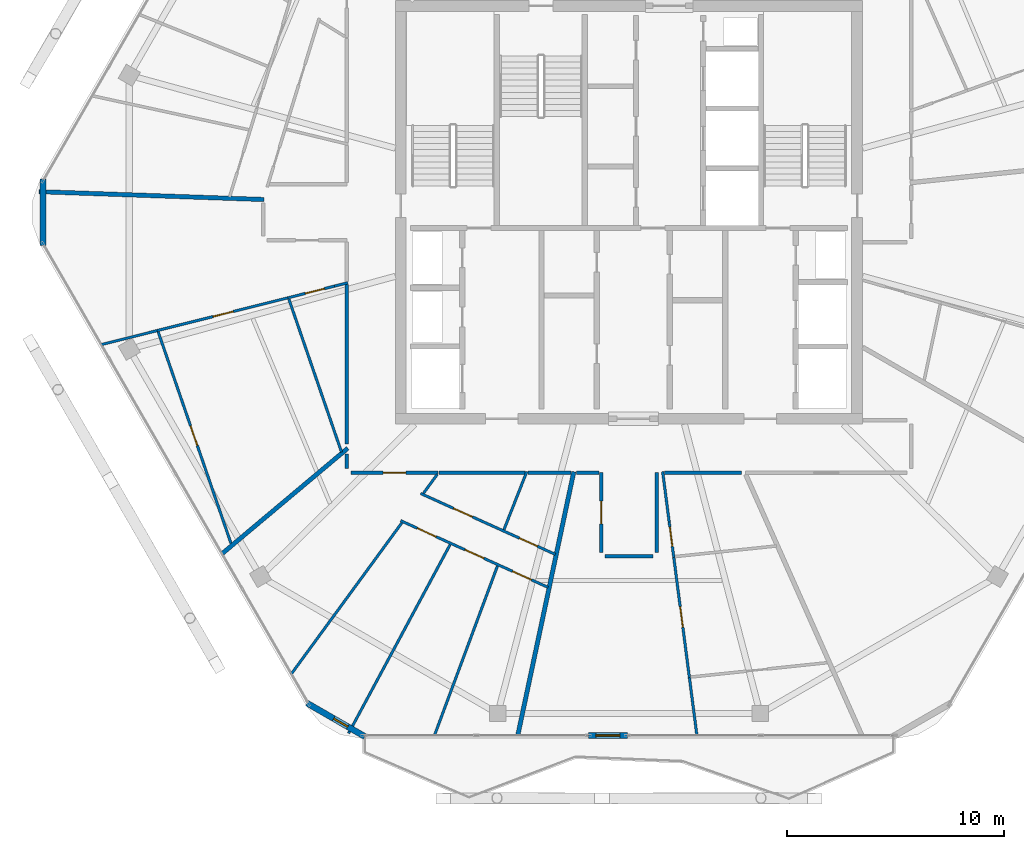
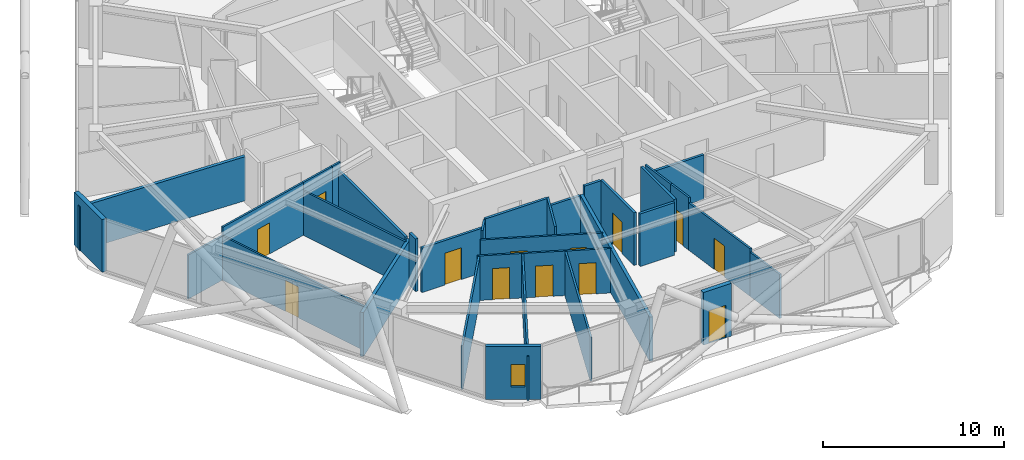
# One storey, part 16 of 23: 33 walls, 13 doors, 1 window, 14 openings.
"""IFC4 building model written with IfcOpenShell, lengths in metres."""

from ifc_helpers import new_model, si_unit, direction, frame, frame_2d, origin, place, context, subcontext, project, spatial, rectangle, extrude, material, layer, layer_set, type_object, element, fill, save


model = new_model("IFC4")

# Units and contexts
model_context = context("Model", 3, precision=1e-05, world=origin(), true_north=direction((0.0, 1.0)))
body_context = subcontext(model_context, "Body", "Model", "MODEL_VIEW")
ifc_project = project(units=[si_unit("LENGTHUNIT", "METRE"), si_unit("AREAUNIT", "SQUARE_METRE"), si_unit("VOLUMEUNIT", "CUBIC_METRE"), si_unit("PLANEANGLEUNIT", "RADIAN"), si_unit("MASSUNIT", "GRAM", prefix="KILO")], contexts=[model_context])

# Site, building, storey
site_placement = place(None, origin())
site = spatial("IfcSite", under=ifc_project, at=site_placement, CompositionType="ELEMENT")
building_placement = place(site_placement, origin())
building = spatial("IfcBuilding", under=site, at=building_placement, Name="Zuhravey Tower", CompositionType="ELEMENT")
storey_placement = place(building_placement, frame((0.0, 0.0, 346.199951171875)))
storey = spatial("IfcBuildingStorey", under=building, at=storey_placement, Name="L88", CompositionType="ELEMENT", Elevation=346.199951171875)

# Wall, opening, door
ifc_material_1 = material(Name="Gypsum fire-rated stud partition")
ifc_layer_1 = layer(ifc_material_1, 0.159912109375)
ifc_layer_set_1 = layer_set([ifc_layer_1], Name="Gypsum fire-rated stud partition")
wall_type_1 = type_object("IfcWallType", Name="Corridor Fire Partition 160", PredefinedType="PARTITIONING", material=ifc_layer_set_1)
wall_1_placement = place(storey_placement, frame((23.20068359375, 20.02001953125, 0.0), z_axis=(0.0, 0.0, 1.0), x_axis=(1.0, 0.0, 0.0)))
wall_1 = element("IfcWall", 1, at=wall_1_placement, inside=storey, type_object=wall_type_1, Name="L88 IW16 Partition 036", PredefinedType="PARTITIONING", context=body_context, shape_type="SweptSolid", body=[
    extrude(rectangle(XDim=4.012939453125, YDim=0.159912109375, at=frame_2d((2.00634765625, 0.0))), origin(), (0.0, 0.0, 1.0), 3.0),
])
opening_1_placement = place(wall_1_placement, frame((1.4814453125, 0.0, 0.0)))
opening_1 = element("IfcOpeningElement", 2, at=opening_1_placement, cuts=wall_1, Name="Opening APD1", PredefinedType="OPENING", context=body_context, shape_type="SweptSolid", body=[
    extrude(rectangle(XDim=1.050048828125, YDim=2.14990234375, at=frame_2d((0.52490234375, 1.074951171875))), frame((0.0, 0.092041015625, 0.0), z_axis=(0.0, -1.0, 0.0), x_axis=(1.0, 0.0, 0.0)), (0.0, 0.0, 1.0), 0.183837890625),
])
ifc_material_2 = material(Name="Solid-core oak fire-rated leaf")
door_type_1 = type_object("IfcDoorType", Name="Apartment Entrance Fire Door 1050x2150", OperationType="NOTDEFINED", PredefinedType="DOOR", material=ifc_material_2)
door_1_placement = place(opening_1_placement, frame((1.050048828125, 0.0, 0.0), z_axis=(0.0, 0.0, 1.0), x_axis=(-1.0, 0.0, 0.0)))
door_1 = element("IfcDoor", 3, at=door_1_placement, inside=storey, type_object=door_type_1, Name="L88 Door 036.1", OperationType="SINGLE_SWING_RIGHT", OverallHeight=2.14990234375, OverallWidth=1.050048828125, PredefinedType="DOOR", context=body_context, shape_type="SweptSolid", body=[
    extrude(rectangle(XDim=1.050048828125, YDim=2.14990234375, at=frame_2d((0.52490234375, 1.074951171875))), frame((0.0, 0.02490234375, 0.0), z_axis=(0.0, -1.0, 0.0), x_axis=(1.0, 0.0, 0.0)), (0.0, 0.0, 1.0), 0.050048828125),
])
fill(opening_1, door_1)

wall_2_placement = place(storey_placement, frame((34.719970703125, 20.02001953125, 0.0), z_axis=(0.0, 0.0, 1.0), x_axis=(0.0, -1.0, 0.0)))
wall_2 = element("IfcWall", 4, at=wall_2_placement, inside=storey, type_object=wall_type_1, Name="L88 IW16 Partition 040", PredefinedType="PARTITIONING", context=body_context, shape_type="SweptSolid", body=[
    extrude(rectangle(XDim=3.669921875, YDim=0.159912109375, at=frame_2d((1.8349609375, 0.0))), origin(), (0.0, 0.0, 1.0), 3.550048828125),
])
opening_2_placement = place(wall_2_placement, frame((1.31005859375, 0.0, 0.0)))
opening_2 = element("IfcOpeningElement", 5, at=opening_2_placement, cuts=wall_2, Name="Opening APD1", PredefinedType="OPENING", context=body_context, shape_type="SweptSolid", body=[
    extrude(rectangle(XDim=1.050048828125, YDim=2.14990234375, at=frame_2d((0.52490234375, 1.074951171875))), frame((0.0, 0.092041015625, 0.0), z_axis=(0.0, -1.0, 0.0), x_axis=(1.0, 0.0, 0.0)), (0.0, 0.0, 1.0), 0.183837890625),
])
door_2_placement = place(opening_2_placement, origin())
door_2 = element("IfcDoor", 6, at=door_2_placement, inside=storey, type_object=door_type_1, Name="L88 Door 040.1", OperationType="SINGLE_SWING_RIGHT", OverallHeight=2.14990234375, OverallWidth=1.050048828125, PredefinedType="DOOR", context=body_context, shape_type="SweptSolid", body=[
    extrude(rectangle(XDim=1.050048828125, YDim=2.14990234375, at=frame_2d((0.52490234375, 1.074951171875))), frame((0.0, 0.02490234375, 0.0), z_axis=(0.0, -1.0, 0.0), x_axis=(1.0, 0.0, 0.0)), (0.0, 0.0, 1.0), 0.050048828125),
])
fill(opening_2, door_2)

# Walls
wall_3_placement = place(storey_placement, frame((23.02001953125, 28.67431640625, 0.0), z_axis=(0.0, 0.0, 1.0), x_axis=(0.0, -1.0, 0.0)))
element("IfcWall", 7, at=wall_3_placement, inside=storey, type_object=wall_type_1, Name="L88 IW16 Partition 115", PredefinedType="PARTITIONING", context=body_context, shape_type="SweptSolid", body=[
    extrude(rectangle(XDim=7.348388671875, YDim=0.159912109375, at=frame_2d((3.67431640625, 0.0))), origin(), (0.0, 0.0, 1.0), 3.0),
])
wall_4_placement = place(storey_placement, frame((23.02001953125, 20.8876953125, 0.0), z_axis=(0.0, 0.0, 1.0), x_axis=(0.0, -1.0, 0.0)))
element("IfcWall", 8, at=wall_4_placement, inside=storey, type_object=wall_type_1, Name="L88 IW16 Partition 116", PredefinedType="PARTITIONING", context=body_context, shape_type="SweptSolid", body=[
    extrude(rectangle(XDim=0.68701171875, YDim=0.159912109375, at=frame_2d((0.343505859375, 0.0))), origin(), (0.0, 0.0, 1.0), 3.550048828125),
])
wall_5_placement = place(storey_placement, frame((27.26318359375, 20.02001953125, 0.0), z_axis=(0.0, 0.0, 1.0), x_axis=(1.0, 0.0, 0.0)))
element("IfcWall", 9, at=wall_5_placement, inside=storey, type_object=wall_type_1, Name="L88 IW16 Partition 117", PredefinedType="PARTITIONING", context=body_context, shape_type="SweptSolid", body=[
    extrude(rectangle(XDim=3.945068359375, YDim=0.159912109375, at=frame_2d((1.97265625, 0.0))), origin(), (0.0, 0.0, 1.0), 3.550048828125),
])
wall_6_placement = place(storey_placement, frame((31.3544921875, 20.02001953125, 0.0), z_axis=(0.0, 0.0, 1.0), x_axis=(1.0, 0.0, 0.0)))
element("IfcWall", 10, at=wall_6_placement, inside=storey, type_object=wall_type_1, Name="L88 IW16 Partition 118", PredefinedType="PARTITIONING", context=body_context, shape_type="SweptSolid", body=[
    extrude(rectangle(XDim=1.968994140625, YDim=0.159912109375, at=frame_2d((0.984375, 0.0))), origin(), (0.0, 0.0, 1.0), 3.0),
])
wall_7_placement = place(storey_placement, frame((37.280029296875, 16.35009765625, 0.0), z_axis=(0.0, 0.0, 1.0), x_axis=(0.0, 1.0, 0.0)))
element("IfcWall", 11, at=wall_7_placement, inside=storey, type_object=wall_type_1, Name="L88 IW16 Partition 119", PredefinedType="PARTITIONING", context=body_context, shape_type="SweptSolid", body=[
    extrude(rectangle(XDim=3.669921875, YDim=0.159912109375, at=frame_2d((1.8349609375, 0.0))), origin(), (0.0, 0.0, 1.0), 3.550048828125),
])
wall_8_placement = place(storey_placement, frame((34.89990234375, 16.169921875, 0.0), z_axis=(0.0, 0.0, 1.0), x_axis=(1.0, 0.0, 0.0)))
element("IfcWall", 12, at=wall_8_placement, inside=storey, type_object=wall_type_1, Name="L88 IW16 Partition 120", PredefinedType="PARTITIONING", context=body_context, shape_type="SweptSolid", body=[
    extrude(rectangle(XDim=2.2001953125, YDim=0.159912109375, at=frame_2d((1.10009765625, 0.0))), origin(), (0.0, 0.0, 1.0), 3.550048828125),
])
wall_9_placement = place(storey_placement, frame((33.5830078125, 20.02001953125, 0.0), z_axis=(0.0, 0.0, 1.0), x_axis=(1.0, 0.0, 0.0)))
element("IfcWall", 13, at=wall_9_placement, inside=storey, type_object=wall_type_1, Name="L88 IW16 Partition 121", PredefinedType="PARTITIONING", context=body_context, shape_type="SweptSolid", body=[
    extrude(rectangle(XDim=1.049072265625, YDim=0.159912109375, at=frame_2d((0.5244140625, 0.0))), origin(), (0.0, 0.0, 1.0), 3.550048828125),
])
wall_10_placement = place(storey_placement, frame((37.62451171875, 20.02001953125, 0.0), z_axis=(0.0, 0.0, 1.0), x_axis=(1.0, 0.0, 0.0)))
element("IfcWall", 14, at=wall_10_placement, inside=storey, type_object=wall_type_1, Name="L88 IW16 Partition 122", PredefinedType="PARTITIONING", context=body_context, shape_type="SweptSolid", body=[
    extrude(rectangle(XDim=3.562744140625, YDim=0.159912109375, at=frame_2d((1.78125, 0.0))), origin(), (0.0, 0.0, 1.0), 3.0),
])

# Wall, opening, door
ifc_material_3 = material(Name="Precast concrete C40/50", Category="concrete")
ifc_layer_2 = layer(ifc_material_3, 0.280029296875)
ifc_layer_set_2 = layer_set([ifc_layer_2], Name="Precast concrete C40/50")
wall_type_2 = type_object("IfcWallType", Name="Crown Architectural Wall 280", PredefinedType="SOLIDWALL", material=ifc_layer_set_2)
wall_11_placement = place(storey_placement, frame((35.923095703125, 7.92578125, 0.0), z_axis=(0.0, 0.0, 1.0), x_axis=(-1.0, 0.0, 0.0)))
wall_11 = element("IfcWall", 15, at=wall_11_placement, inside=storey, type_object=wall_type_2, Name="L88 Face 5 Facade Pier EW28-1", PredefinedType="SOLIDWALL", context=body_context, shape_type="SweptSolid", body=[
    extrude(rectangle(XDim=1.7900390625, YDim=0.280029296875, at=frame_2d((0.89501953125, 0.0))), origin(), (0.0, 0.0, 1.0), 3.550048828125),
])
opening_3_placement = place(wall_11_placement, frame((0.344970703125, 0.0, 0.0)))
opening_3 = element("IfcOpeningElement", 16, at=opening_3_placement, cuts=wall_11, Name="Opening BLD1", PredefinedType="OPENING", context=body_context, shape_type="SweptSolid", body=[
    extrude(rectangle(XDim=1.10009765625, YDim=2.199951171875, at=frame_2d((0.550048828125, 1.10009765625))), frame((0.0, 0.152099609375, 0.0), z_axis=(0.0, -1.0, 0.0), x_axis=(1.0, 0.0, 0.0)), (0.0, 0.0, 1.0), 0.303955078125),
])
ifc_material_4 = material(Name="Thermally broken aluminium and low-E glass", Category="aluminium")
door_type_2 = type_object("IfcDoorType", Name="Balcony & Sky-Tray Glazed Door 1100x2200", OperationType="NOTDEFINED", PredefinedType="DOOR", material=ifc_material_4)
door_3_placement = place(opening_3_placement, frame((1.10009765625, 0.0, 0.0), z_axis=(0.0, 0.0, 1.0), x_axis=(-1.0, 0.0, 0.0)))
door_3 = element("IfcDoor", 17, at=door_3_placement, inside=storey, type_object=door_type_2, Name="L88 Face 5 Wave Balcony Door", OperationType="SINGLE_SWING_LEFT", OverallHeight=2.199951171875, OverallWidth=1.10009765625, PredefinedType="DOOR", context=body_context, shape_type="SweptSolid", body=[
    extrude(rectangle(XDim=1.10009765625, YDim=2.199951171875, at=frame_2d((0.550048828125, 1.10009765625))), frame((0.0, 0.02490234375, 0.0), z_axis=(0.0, -1.0, 0.0), x_axis=(1.0, 0.0, 0.0)), (0.0, 0.0, 1.0), 0.050048828125),
])
fill(opening_3, door_3)

# Wall, opening, window
wall_12_placement = place(storey_placement, frame((23.843017578125, 7.87841796875, 0.0), z_axis=(0.0, 0.0, 1.0), x_axis=(-0.866023752521, 0.50000286006, 0.0)))
wall_12 = element("IfcWall", 18, at=wall_12_placement, inside=storey, type_object=wall_type_2, Name="L88 Rounded Corner Closure Wall EW28-04", PredefinedType="SOLIDWALL", context=body_context, shape_type="SweptSolid", body=[
    extrude(rectangle(XDim=3.06494140625, YDim=0.280029296875, at=frame_2d((1.532470703125, 0.0))), origin(), (0.0, 0.0, 1.0), 3.550048828125),
])
opening_4_placement = place(wall_12_placement, frame((0.900634765625, 0.0, 0.85009765625)))
opening_4 = element("IfcOpeningElement", 19, at=opening_4_placement, cuts=wall_12, Name="Opening WN5", PredefinedType="OPENING", context=body_context, shape_type="SweptSolid", body=[
    extrude(rectangle(XDim=0.75, YDim=1.5, at=frame_2d((0.375, 0.75))), frame((0.0, 0.152099609375, 0.0), z_axis=(0.0, -1.0, 0.0), x_axis=(1.0, 0.0, 0.0)), (0.0, 0.0, 1.0), 0.303955078125),
])
ifc_material_5 = material(Name="Thermally broken aluminium and triple low-E glass", Category="aluminium")
window_type = type_object("IfcWindowType", Name="Residential Corner Casement Window 750x1500", PartitioningType="SINGLE_PANEL", PredefinedType="WINDOW", material=ifc_material_5)
window_placement = place(opening_4_placement, origin())
window = element("IfcWindow", 20, at=window_placement, inside=storey, type_object=window_type, Name="L88 Corner Casement Window WN5-04.1", OverallHeight=1.5, OverallWidth=0.75, PartitioningType="SINGLE_PANEL", PredefinedType="WINDOW", context=body_context, shape_type="SweptSolid", body=[
    extrude(rectangle(XDim=0.75, YDim=1.5, at=frame_2d((0.375, 0.75))), frame((0.0, 0.030029296875, 0.0), z_axis=(0.0, -1.0, 0.0), x_axis=(1.0, 0.0, 0.0)), (0.0, 0.0, 1.0), 0.06005859375),
])
fill(opening_4, window)

# Walls
wall_13_placement = place(storey_placement, frame((9.031494140625, 30.467529296875, 0.0), z_axis=(0.0, 0.0, 1.0), x_axis=(0.0, 1.0, 0.0)))
element("IfcWall", 21, at=wall_13_placement, inside=storey, type_object=wall_type_2, Name="L88 Rounded Corner Closure Wall EW28-06", PredefinedType="SOLIDWALL", context=body_context, shape_type="SweptSolid", body=[
    extrude(rectangle(XDim=3.06494140625, YDim=0.280029296875, at=frame_2d((1.532470703125, 0.0))), origin(), (0.0, 0.0, 1.0), 3.550048828125),
])
ifc_material_6 = material(Name="Gypsum double-stud party assembly")
ifc_layer_3 = layer(ifc_material_6, 0.199951171875)
ifc_layer_set_3 = layer_set([ifc_layer_3], Name="Gypsum double-stud party assembly")
wall_type_3 = type_object("IfcWallType", Name="Inter-Tenancy Party Wall 200", PredefinedType="PARTITIONING", material=ifc_layer_set_3)
wall_14_placement = place(storey_placement, frame((19.2099609375, 32.586181640625, 0.0), z_axis=(0.0, 0.0, 1.0), x_axis=(-0.999390829102, 0.034899437044, 0.0)))
element("IfcWall", 22, at=wall_14_placement, inside=storey, type_object=wall_type_3, Name="L88 IW20 Partition 076", PredefinedType="PARTITIONING", context=body_context, shape_type="SweptSolid", body=[
    extrude(rectangle(XDim=10.367431640625, YDim=0.199951171875, at=frame_2d((5.18359375, 0.0))), origin(), (0.0, 0.0, 1.0), 2.969970703125),
])
wall_15_placement = place(storey_placement, frame((23.06005859375, 21.14208984375, 0.0), z_axis=(0.0, 0.0, 1.0), x_axis=(-0.766052406388, -0.642778119313, 0.0)))
element("IfcWall", 23, at=wall_15_placement, inside=storey, type_object=wall_type_3, Name="L88 IW20 Partition 080", PredefinedType="PARTITIONING", context=body_context, shape_type="SweptSolid", body=[
    extrude(rectangle(XDim=7.553466796875, YDim=0.199951171875, at=frame_2d((3.77685546875, 0.0))), origin(), (0.0, 0.0, 1.0), 2.969970703125),
])
wall_16_placement = place(storey_placement, frame((33.462158203125, 20.06005859375, 0.0), z_axis=(0.0, 0.0, 1.0), x_axis=(-0.207921364867, -0.978145544401, 0.0)))
element("IfcWall", 24, at=wall_16_placement, inside=storey, type_object=wall_type_3, Name="L88 IW20 Partition 086", PredefinedType="PARTITIONING", context=body_context, shape_type="SweptSolid", body=[
    extrude(rectangle(XDim=12.4052734375, YDim=0.199951171875, at=frame_2d((6.20263671875, 0.0))), origin(), (0.0, 0.0, 1.0), 2.969970703125),
])

# Wall, opening, door
ifc_material_7 = material(Name="Gypsum metal-stud partition")
ifc_layer_4 = layer(ifc_material_7, 0.1201171875)
ifc_layer_set_4 = layer_set([ifc_layer_4], Name="Gypsum metal-stud partition")
wall_type_4 = type_object("IfcWallType", Name="Unit Internal Partition 120", PredefinedType="PARTITIONING", material=ifc_layer_set_4)
wall_17_placement = place(storey_placement, frame((22.449951171875, 28.6015625, 0.0), z_axis=(0.0, 0.0, 1.0), x_axis=(-0.969941016034, -0.243340143452, 0.0)))
wall_17 = element("IfcWall", 25, at=wall_17_placement, inside=storey, type_object=wall_type_4, Name="L88 IW12 Partition 030", PredefinedType="PARTITIONING", context=body_context, shape_type="SweptSolid", body=[
    extrude(rectangle(XDim=2.213134765625, YDim=0.1201171875, at=frame_2d((1.1064453125, 0.0))), origin(), (0.0, 0.0, 1.0), 3.550048828125),
])
opening_5_placement = place(wall_17_placement, frame((0.4794921875, 0.0, 0.0)))
opening_5 = element("IfcOpeningElement", 26, at=opening_5_placement, cuts=wall_17, Name="Opening WCD1", PredefinedType="OPENING", context=body_context, shape_type="SweptSolid", body=[
    extrude(rectangle(XDim=0.89990234375, YDim=2.10009765625, at=frame_2d((0.449951171875, 1.050048828125))), frame((0.0, 0.072021484375, 0.0), z_axis=(0.0, -1.0, 0.0), x_axis=(1.0, 0.0, 0.0)), (0.0, 0.0, 1.0), 0.14404296875),
])
ifc_material_8 = material(Name="Moisture-resistant timber leaf", Category="wood")
door_type_3 = type_object("IfcDoorType", Name="Bathroom & WC Internal Door 900x2100", OperationType="NOTDEFINED", PredefinedType="DOOR", material=ifc_material_8)
door_4_placement = place(opening_5_placement, origin())
door_4 = element("IfcDoor", 27, at=door_4_placement, inside=storey, type_object=door_type_3, Name="Apartment L88-04 Bathroom Door", OperationType="SINGLE_SWING_LEFT", OverallHeight=2.10009765625, OverallWidth=0.89990234375, PredefinedType="DOOR", context=body_context, shape_type="SweptSolid", body=[
    extrude(rectangle(XDim=0.89990234375, YDim=2.10009765625, at=frame_2d((0.449951171875, 1.050048828125))), frame((0.0, 0.02490234375, 0.0), z_axis=(0.0, -1.0, 0.0), x_axis=(1.0, 0.0, 0.0)), (0.0, 0.0, 1.0), 0.050048828125),
])
fill(opening_5, door_4)

wall_18_placement = place(storey_placement, frame((20.30322265625, 28.06298828125, 0.0), z_axis=(0.0, 0.0, 1.0), x_axis=(-0.969954547898, -0.243286199796, 0.0)))
wall_18 = element("IfcWall", 28, at=wall_18_placement, inside=storey, type_object=wall_type_4, Name="L88 IW12 Partition 031", PredefinedType="PARTITIONING", context=body_context, shape_type="SweptSolid", body=[
    extrude(rectangle(XDim=6.19873046875, YDim=0.1201171875, at=frame_2d((3.099365234375, 0.0))), origin(), (0.0, 0.0, 1.0), 3.550048828125),
])
opening_6_placement = place(wall_18_placement, frame((2.599365234375, 0.0, 0.0)))
opening_6 = element("IfcOpeningElement", 29, at=opening_6_placement, cuts=wall_18, Name="Opening IND1", PredefinedType="OPENING", context=body_context, shape_type="SweptSolid", body=[
    extrude(rectangle(XDim=0.949951171875, YDim=2.10009765625, at=frame_2d((0.47509765625, 1.050048828125))), frame((0.0, 0.072021484375, 0.0), z_axis=(0.0, -1.0, 0.0), x_axis=(1.0, 0.0, 0.0)), (0.0, 0.0, 1.0), 0.14404296875),
])
ifc_material_9 = material(Name="Painted engineered timber leaf", Category="wood")
door_type_4 = type_object("IfcDoorType", Name="Internal Room & Bedroom Door 950x2100", OperationType="NOTDEFINED", PredefinedType="DOOR", material=ifc_material_9)
door_5_placement = place(opening_6_placement, origin())
door_5 = element("IfcDoor", 30, at=door_5_placement, inside=storey, type_object=door_type_4, Name="Apartment L88-04 Home Office Door", OperationType="SINGLE_SWING_RIGHT", OverallHeight=2.10009765625, OverallWidth=0.949951171875, PredefinedType="DOOR", context=body_context, shape_type="SweptSolid", body=[
    extrude(rectangle(XDim=0.949951171875, YDim=2.10009765625, at=frame_2d((0.47509765625, 1.050048828125))), frame((0.0, 0.02490234375, 0.0), z_axis=(0.0, -1.0, 0.0), x_axis=(1.0, 0.0, 0.0)), (0.0, 0.0, 1.0), 0.050048828125),
])
fill(opening_6, door_5)

wall_19_placement = place(storey_placement, frame((14.337158203125, 26.49658203125, 0.0), z_axis=(0.0, 0.0, 1.0), x_axis=(0.325570697436, -0.945517699978, 0.0)))
wall_19 = element("IfcWall", 31, at=wall_19_placement, inside=storey, type_object=wall_type_4, Name="L88 IW12 Partition 032", PredefinedType="PARTITIONING", context=body_context, shape_type="SweptSolid", body=[
    extrude(rectangle(XDim=10.283935546875, YDim=0.1201171875, at=frame_2d((5.14208984375, 0.0))), origin(), (0.0, 0.0, 1.0), 2.969970703125),
])
opening_7_placement = place(wall_19_placement, frame((4.58251953125, 0.0, 0.0)))
opening_7 = element("IfcOpeningElement", 32, at=opening_7_placement, cuts=wall_19, Name="Opening IND1", PredefinedType="OPENING", context=body_context, shape_type="SweptSolid", body=[
    extrude(rectangle(XDim=0.949951171875, YDim=2.10009765625, at=frame_2d((0.47509765625, 1.050048828125))), frame((0.0, 0.072021484375, 0.0), z_axis=(0.0, -1.0, 0.0), x_axis=(1.0, 0.0, 0.0)), (0.0, 0.0, 1.0), 0.14404296875),
])
door_6_placement = place(opening_7_placement, frame((0.949951171875, 0.0, 0.0), z_axis=(0.0, 0.0, 1.0), x_axis=(-1.0, 0.0, 0.0)))
door_6 = element("IfcDoor", 33, at=door_6_placement, inside=storey, type_object=door_type_4, Name="Apartment L88-04 Bedroom 1 Door", OperationType="SINGLE_SWING_LEFT", OverallHeight=2.10009765625, OverallWidth=0.949951171875, PredefinedType="DOOR", context=body_context, shape_type="SweptSolid", body=[
    extrude(rectangle(XDim=0.949951171875, YDim=2.10009765625, at=frame_2d((0.47509765625, 1.050048828125))), frame((0.0, 0.02490234375, 0.0), z_axis=(0.0, -1.0, 0.0), x_axis=(1.0, 0.0, 0.0)), (0.0, 0.0, 1.0), 0.050048828125),
])
fill(opening_7, door_6)

# Wall, openings, doors
wall_20_placement = place(storey_placement, frame((26.413330078125, 19.061279296875, 0.0), z_axis=(0.0, 0.0, 1.0), x_axis=(0.911113377023, -0.412155813024, 0.0)))
wall_20 = element("IfcWall", 34, at=wall_20_placement, inside=storey, type_object=wall_type_4, Name="L88 IW12 Partition 034", PredefinedType="PARTITIONING", context=body_context, shape_type="SweptSolid", body=[
    extrude(rectangle(XDim=6.8037109375, YDim=0.1201171875, at=frame_2d((3.40185546875, 0.0))), origin(), (0.0, 0.0, 1.0), 3.0),
])
opening_8_placement = place(wall_20_placement, frame((1.66748046875, 0.0, 0.0)))
opening_8 = element("IfcOpeningElement", 35, at=opening_8_placement, cuts=wall_20, Name="Opening IND1", PredefinedType="OPENING", context=body_context, shape_type="SweptSolid", body=[
    extrude(rectangle(XDim=0.949951171875, YDim=2.10009765625, at=frame_2d((0.47509765625, 1.050048828125))), frame((0.0, 0.072021484375, 0.0), z_axis=(0.0, -1.0, 0.0), x_axis=(1.0, 0.0, 0.0)), (0.0, 0.0, 1.0), 0.14404296875),
])
opening_9_placement = place(wall_20_placement, frame((4.9921875, 0.0, 0.0)))
opening_9 = element("IfcOpeningElement", 36, at=opening_9_placement, cuts=wall_20, Name="Opening WCD1", PredefinedType="OPENING", context=body_context, shape_type="SweptSolid", body=[
    extrude(rectangle(XDim=0.89990234375, YDim=2.10009765625, at=frame_2d((0.449951171875, 1.050048828125))), frame((0.0, 0.072021484375, 0.0), z_axis=(0.0, -1.0, 0.0), x_axis=(1.0, 0.0, 0.0)), (0.0, 0.0, 1.0), 0.14404296875),
])
door_7_placement = place(opening_9_placement, origin())
door_7 = element("IfcDoor", 37, at=door_7_placement, inside=storey, type_object=door_type_3, Name="Apartment L88-05 Bathroom Door", OperationType="SINGLE_SWING_RIGHT", OverallHeight=2.10009765625, OverallWidth=0.89990234375, PredefinedType="DOOR", context=body_context, shape_type="SweptSolid", body=[
    extrude(rectangle(XDim=0.89990234375, YDim=2.10009765625, at=frame_2d((0.449951171875, 1.050048828125))), frame((0.0, 0.02490234375, 0.0), z_axis=(0.0, -1.0, 0.0), x_axis=(1.0, 0.0, 0.0)), (0.0, 0.0, 1.0), 0.050048828125),
])
fill(opening_9, door_7)
door_8_placement = place(opening_8_placement, origin())
door_8 = element("IfcDoor", 38, at=door_8_placement, inside=storey, type_object=door_type_4, Name="Apartment L88-05 Kitchen Door", OperationType="SINGLE_SWING_LEFT", OverallHeight=2.10009765625, OverallWidth=0.949951171875, PredefinedType="DOOR", context=body_context, shape_type="SweptSolid", body=[
    extrude(rectangle(XDim=0.949951171875, YDim=2.10009765625, at=frame_2d((0.47509765625, 1.050048828125))), frame((0.0, 0.02490234375, 0.0), z_axis=(0.0, -1.0, 0.0), x_axis=(1.0, 0.0, 0.0)), (0.0, 0.0, 1.0), 0.050048828125),
])
fill(opening_8, door_8)

wall_21_placement = place(storey_placement, frame((25.49658203125, 17.807861328125, 0.0), z_axis=(0.0, 0.0, 1.0), x_axis=(0.911109976368, -0.412163330445, 0.0)))
wall_21 = element("IfcWall", 39, at=wall_21_placement, inside=storey, type_object=wall_type_4, Name="L88 IW12 Partition 035", PredefinedType="PARTITIONING", context=body_context, shape_type="SweptSolid", body=[
    extrude(rectangle(XDim=7.44091796875, YDim=0.1201171875, at=frame_2d((3.720458984375, 0.0))), origin(), (0.0, 0.0, 1.0), 3.0),
])
opening_10_placement = place(wall_21_placement, frame((0.83984375, 0.0, 0.0)))
opening_10 = element("IfcOpeningElement", 40, at=opening_10_placement, cuts=wall_21, Name="Opening IND1", PredefinedType="OPENING", context=body_context, shape_type="SweptSolid", body=[
    extrude(rectangle(XDim=0.949951171875, YDim=2.10009765625, at=frame_2d((0.47509765625, 1.050048828125))), frame((0.0, 0.072021484375, 0.0), z_axis=(0.0, -1.0, 0.0), x_axis=(1.0, 0.0, 0.0)), (0.0, 0.0, 1.0), 0.14404296875),
])
opening_11_placement = place(wall_21_placement, frame((3.24560546875, 0.0, 0.0)))
opening_11 = element("IfcOpeningElement", 41, at=opening_11_placement, cuts=wall_21, Name="Opening IND1", PredefinedType="OPENING", context=body_context, shape_type="SweptSolid", body=[
    extrude(rectangle(XDim=0.949951171875, YDim=2.10009765625, at=frame_2d((0.47509765625, 1.050048828125))), frame((0.0, 0.072021484375, 0.0), z_axis=(0.0, -1.0, 0.0), x_axis=(1.0, 0.0, 0.0)), (0.0, 0.0, 1.0), 0.14404296875),
])
opening_12_placement = place(wall_21_placement, frame((5.651123046875, 0.0, 0.0)))
opening_12 = element("IfcOpeningElement", 42, at=opening_12_placement, cuts=wall_21, Name="Opening IND1", PredefinedType="OPENING", context=body_context, shape_type="SweptSolid", body=[
    extrude(rectangle(XDim=0.949951171875, YDim=2.10009765625, at=frame_2d((0.47509765625, 1.050048828125))), frame((0.0, 0.072021484375, 0.0), z_axis=(0.0, -1.0, 0.0), x_axis=(1.0, 0.0, 0.0)), (0.0, 0.0, 1.0), 0.14404296875),
])
door_9_placement = place(opening_10_placement, frame((0.949951171875, 0.0, 0.0), z_axis=(0.0, 0.0, 1.0), x_axis=(-1.0, 0.0, 0.0)))
door_9 = element("IfcDoor", 43, at=door_9_placement, inside=storey, type_object=door_type_4, Name="Apartment L88-05 Bedroom 1 Door", OperationType="SINGLE_SWING_LEFT", OverallHeight=2.10009765625, OverallWidth=0.949951171875, PredefinedType="DOOR", context=body_context, shape_type="SweptSolid", body=[
    extrude(rectangle(XDim=0.949951171875, YDim=2.10009765625, at=frame_2d((0.47509765625, 1.050048828125))), frame((0.0, 0.02490234375, 0.0), z_axis=(0.0, -1.0, 0.0), x_axis=(1.0, 0.0, 0.0)), (0.0, 0.0, 1.0), 0.050048828125),
])
fill(opening_10, door_9)
door_10_placement = place(opening_11_placement, frame((0.949951171875, 0.0, 0.0), z_axis=(0.0, 0.0, 1.0), x_axis=(-1.0, 0.0, 0.0)))
door_10 = element("IfcDoor", 44, at=door_10_placement, inside=storey, type_object=door_type_4, Name="Apartment L88-05 Bedroom 2 Door", OperationType="SINGLE_SWING_RIGHT", OverallHeight=2.10009765625, OverallWidth=0.949951171875, PredefinedType="DOOR", context=body_context, shape_type="SweptSolid", body=[
    extrude(rectangle(XDim=0.949951171875, YDim=2.10009765625, at=frame_2d((0.47509765625, 1.050048828125))), frame((0.0, 0.02490234375, 0.0), z_axis=(0.0, -1.0, 0.0), x_axis=(1.0, 0.0, 0.0)), (0.0, 0.0, 1.0), 0.050048828125),
])
fill(opening_11, door_10)
door_11_placement = place(opening_12_placement, frame((0.949951171875, 0.0, 0.0), z_axis=(0.0, 0.0, 1.0), x_axis=(-1.0, 0.0, 0.0)))
door_11 = element("IfcDoor", 45, at=door_11_placement, inside=storey, type_object=door_type_4, Name="Apartment L88-05 Bedroom 3 Door", OperationType="SINGLE_SWING_LEFT", OverallHeight=2.10009765625, OverallWidth=0.949951171875, PredefinedType="DOOR", context=body_context, shape_type="SweptSolid", body=[
    extrude(rectangle(XDim=0.949951171875, YDim=2.10009765625, at=frame_2d((0.47509765625, 1.050048828125))), frame((0.0, 0.02490234375, 0.0), z_axis=(0.0, -1.0, 0.0), x_axis=(1.0, 0.0, 0.0)), (0.0, 0.0, 1.0), 0.050048828125),
])
fill(opening_12, door_11)

# Wall, opening, door
wall_22_placement = place(storey_placement, frame((37.85009765625, 17.755859375, 0.0), z_axis=(0.0, 0.0, 1.0), x_axis=(0.128818907628, -0.991668134528, 0.0)))
wall_22 = element("IfcWall", 46, at=wall_22_placement, inside=storey, type_object=wall_type_4, Name="L88 IW12 Partition 037", PredefinedType="PARTITIONING", context=body_context, shape_type="SweptSolid", body=[
    extrude(rectangle(XDim=1.64501953125, YDim=0.1201171875, at=frame_2d((0.822509765625, 0.0))), origin(), (0.0, 0.0, 1.0), 3.550048828125),
])
opening_13_placement = place(wall_22_placement, frame((0.240966796875, 0.0, 0.0)))
opening_13 = element("IfcOpeningElement", 47, at=opening_13_placement, cuts=wall_22, Name="Opening WCD1", PredefinedType="OPENING", context=body_context, shape_type="SweptSolid", body=[
    extrude(rectangle(XDim=0.89990234375, YDim=2.10009765625, at=frame_2d((0.449951171875, 1.050048828125))), frame((0.0, 0.072021484375, 0.0), z_axis=(0.0, -1.0, 0.0), x_axis=(1.0, 0.0, 0.0)), (0.0, 0.0, 1.0), 0.14404296875),
])
door_12_placement = place(opening_13_placement, origin())
door_12 = element("IfcDoor", 48, at=door_12_placement, inside=storey, type_object=door_type_3, Name="Apartment L88-06 Bathroom Door", OperationType="SINGLE_SWING_LEFT", OverallHeight=2.10009765625, OverallWidth=0.89990234375, PredefinedType="DOOR", context=body_context, shape_type="SweptSolid", body=[
    extrude(rectangle(XDim=0.89990234375, YDim=2.10009765625, at=frame_2d((0.449951171875, 1.050048828125))), frame((0.0, 0.02490234375, 0.0), z_axis=(0.0, -1.0, 0.0), x_axis=(1.0, 0.0, 0.0)), (0.0, 0.0, 1.0), 0.050048828125),
])
fill(opening_13, door_12)

wall_23_placement = place(storey_placement, frame((38.061767578125, 16.12451171875, 0.0), z_axis=(0.0, 0.0, 1.0), x_axis=(0.12882372942, -0.991667508159, 0.0)))
wall_23 = element("IfcWall", 49, at=wall_23_placement, inside=storey, type_object=wall_type_4, Name="L88 IW12 Partition 038", PredefinedType="PARTITIONING", context=body_context, shape_type="SweptSolid", body=[
    extrude(rectangle(XDim=5.5888671875, YDim=0.1201171875, at=frame_2d((2.79443359375, 0.0))), origin(), (0.0, 0.0, 1.0), 3.199951171875),
])
opening_14_placement = place(wall_23_placement, frame((2.29443359375, 0.0, 0.0)))
opening_14 = element("IfcOpeningElement", 50, at=opening_14_placement, cuts=wall_23, Name="Opening IND1", PredefinedType="OPENING", context=body_context, shape_type="SweptSolid", body=[
    extrude(rectangle(XDim=0.949951171875, YDim=2.10009765625, at=frame_2d((0.47509765625, 1.050048828125))), frame((0.0, 0.072021484375, 0.0), z_axis=(0.0, -1.0, 0.0), x_axis=(1.0, 0.0, 0.0)), (0.0, 0.0, 1.0), 0.14404296875),
])
door_13_placement = place(opening_14_placement, origin())
door_13 = element("IfcDoor", 51, at=door_13_placement, inside=storey, type_object=door_type_4, Name="Apartment L88-06 Home Office Door", OperationType="SINGLE_SWING_RIGHT", OverallHeight=2.10009765625, OverallWidth=0.949951171875, PredefinedType="DOOR", context=body_context, shape_type="SweptSolid", body=[
    extrude(rectangle(XDim=0.949951171875, YDim=2.10009765625, at=frame_2d((0.47509765625, 1.050048828125))), frame((0.0, 0.02490234375, 0.0), z_axis=(0.0, -1.0, 0.0), x_axis=(1.0, 0.0, 0.0)), (0.0, 0.0, 1.0), 0.050048828125),
])
fill(opening_14, door_13)

# Walls
wall_24_placement = place(storey_placement, frame((23.064208984375, 28.755615234375, 0.0), z_axis=(0.0, 0.0, 1.0), x_axis=(-0.969960808965, -0.243261236271, 0.0)))
element("IfcWall", 52, at=wall_24_placement, inside=storey, type_object=wall_type_4, Name="L88 IW12 Partition 077", PredefinedType="PARTITIONING", context=body_context, shape_type="SweptSolid", body=[
    extrude(rectangle(XDim=0.63330078125, YDim=0.1201171875, at=frame_2d((0.316650390625, 0.0))), origin(), (0.0, 0.0, 1.0), 3.550048828125),
])
wall_25_placement = place(storey_placement, frame((14.290771484375, 26.554931640625, 0.0), z_axis=(0.0, 0.0, 1.0), x_axis=(-0.969963851094, -0.243249106002, 0.0)))
element("IfcWall", 53, at=wall_25_placement, inside=storey, type_object=wall_type_4, Name="L88 IW12 Partition 078", PredefinedType="PARTITIONING", context=body_context, shape_type="SweptSolid", body=[
    extrude(rectangle(XDim=2.65673828125, YDim=0.1201171875, at=frame_2d((1.328369140625, 0.0))), origin(), (0.0, 0.0, 1.0), 2.969970703125),
])
wall_26_placement = place(storey_placement, frame((20.349853515625, 28.004638671875, 0.0), z_axis=(0.0, 0.0, 1.0), x_axis=(0.32554082169, -0.945527986584, 0.0)))
element("IfcWall", 54, at=wall_26_placement, inside=storey, type_object=wall_type_4, Name="L88 IW12 Partition 079", PredefinedType="PARTITIONING", context=body_context, shape_type="SweptSolid", body=[
    extrude(rectangle(XDim=7.443359375, YDim=0.1201171875, at=frame_2d((3.7216796875, 0.0))), origin(), (0.0, 0.0, 1.0), 3.0),
])
wall_27_placement = place(storey_placement, frame((31.301025390625, 20.070068359375, 0.0), z_axis=(0.0, 0.0, 1.0), x_axis=(-0.366426296645, -0.93044708024, 0.0)))
element("IfcWall", 55, at=wall_27_placement, inside=storey, type_object=wall_type_4, Name="L88 IW12 Partition 081", PredefinedType="PARTITIONING", context=body_context, shape_type="SweptSolid", body=[
    extrude(rectangle(XDim=2.868896484375, YDim=0.1201171875, at=frame_2d((1.4345703125, 0.0))), origin(), (0.0, 0.0, 1.0), 3.550048828125),
])
wall_28_placement = place(storey_placement, frame((27.769287109375, 16.705078125, 0.0), z_axis=(0.0, 0.0, 1.0), x_axis=(-0.473888532378, -0.880584839116, 0.0)))
element("IfcWall", 56, at=wall_28_placement, inside=storey, type_object=wall_type_4, Name="L88 IW12 Partition 082", PredefinedType="PARTITIONING", context=body_context, shape_type="SweptSolid", body=[
    extrude(rectangle(XDim=9.85400390625, YDim=0.1201171875, at=frame_2d((4.927001953125, 0.0))), origin(), (0.0, 0.0, 1.0), 2.969970703125),
])
wall_29_placement = place(storey_placement, frame((29.947509765625, 15.7197265625, 0.0), z_axis=(0.0, 0.0, 1.0), x_axis=(-0.34846114111, -0.937323227673, 0.0)))
element("IfcWall", 57, at=wall_29_placement, inside=storey, type_object=wall_type_4, Name="L88 IW12 Partition 083", PredefinedType="PARTITIONING", context=body_context, shape_type="SweptSolid", body=[
    extrude(rectangle(XDim=8.325439453125, YDim=0.1201171875, at=frame_2d((4.16259765625, 0.0))), origin(), (0.0, 0.0, 1.0), 2.969970703125),
])
wall_30_placement = place(storey_placement, frame((27.174072265625, 19.931884765625, 0.0), z_axis=(0.0, 0.0, 1.0), x_axis=(-0.590276099666, -0.807201416106, 0.0)))
element("IfcWall", 58, at=wall_30_placement, inside=storey, type_object=wall_type_4, Name="L88 IW12 Partition 084", PredefinedType="PARTITIONING", context=body_context, shape_type="SweptSolid", body=[
    extrude(rectangle(XDim=1.061279296875, YDim=0.1201171875, at=frame_2d((0.53076171875, 0.0))), origin(), (0.0, 0.0, 1.0), 3.550048828125),
])
wall_31_placement = place(storey_placement, frame((25.548583984375, 17.709716796875, 0.0), z_axis=(0.0, 0.0, 1.0), x_axis=(-0.59031116807, -0.807175770729, 0.0)))
element("IfcWall", 59, at=wall_31_placement, inside=storey, type_object=wall_type_4, Name="L88 IW12 Partition 085", PredefinedType="PARTITIONING", context=body_context, shape_type="SweptSolid", body=[
    extrude(rectangle(XDim=8.622314453125, YDim=0.1201171875, at=frame_2d((4.31103515625, 0.0))), origin(), (0.0, 0.0, 1.0), 2.969970703125),
])
wall_32_placement = place(storey_placement, frame((37.550048828125, 20.064697265625, 0.0), z_axis=(0.0, 0.0, 1.0), x_axis=(0.128872952033, -0.991661112596, 0.0)))
element("IfcWall", 60, at=wall_32_placement, inside=storey, type_object=wall_type_4, Name="L88 IW12 Partition 087", PredefinedType="PARTITIONING", context=body_context, shape_type="SweptSolid", body=[
    extrude(rectangle(XDim=2.328369140625, YDim=0.1201171875, at=frame_2d((1.1640625, 0.0))), origin(), (0.0, 0.0, 1.0), 3.550048828125),
])
wall_33_placement = place(storey_placement, frame((38.781494140625, 10.582275390625, 0.0), z_axis=(0.0, 0.0, 1.0), x_axis=(0.12881414138, -0.991668753658, 0.0)))
element("IfcWall", 61, at=wall_33_placement, inside=storey, type_object=wall_type_4, Name="L88 IW12 Partition 088", PredefinedType="PARTITIONING", context=body_context, shape_type="SweptSolid", body=[
    extrude(rectangle(XDim=2.683837890625, YDim=0.1201171875, at=frame_2d((1.341796875, 0.0))), origin(), (0.0, 0.0, 1.0), 2.969970703125),
])

save(model, "model.ifc")
